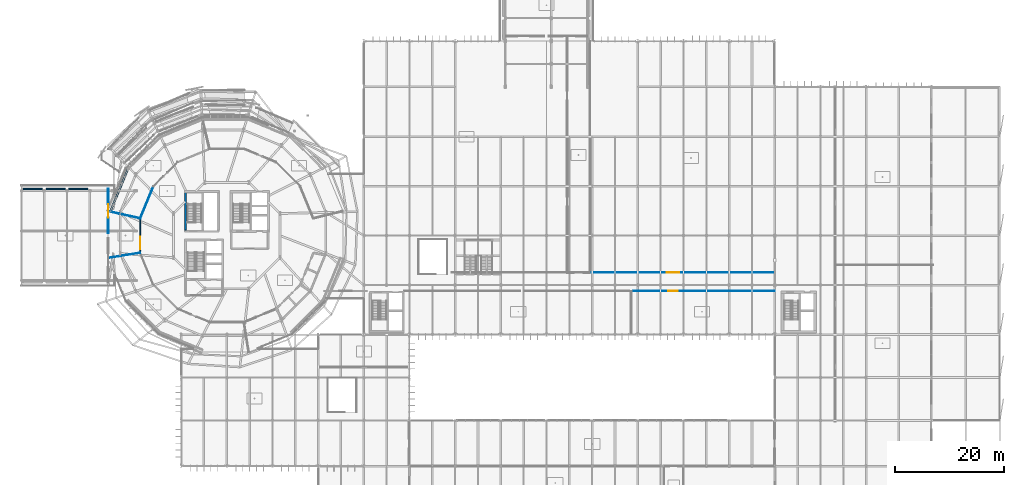
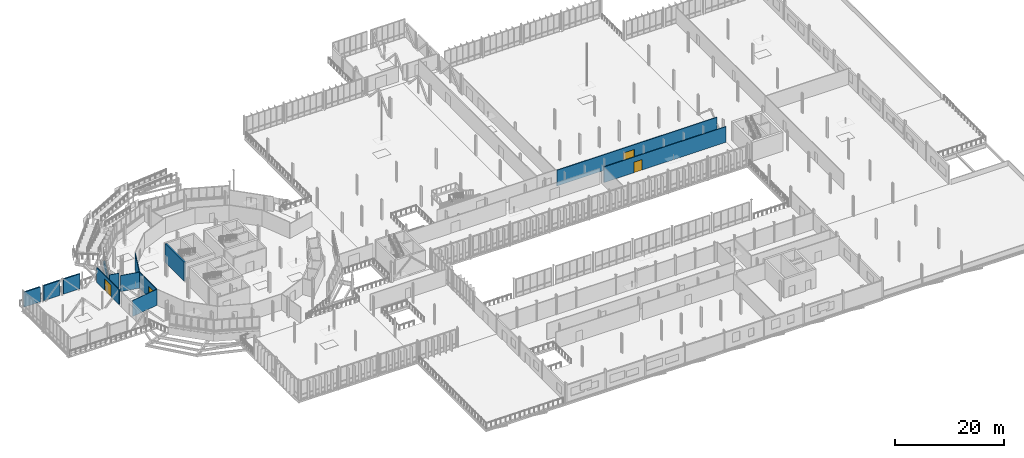
# One storey, part 104 of 139: 13 walls, 4 doors, 4 openings.
"""IFC4 building model written with IfcOpenShell, lengths in metres."""

from ifc_helpers import new_model, si_unit, derived_unit, direction, frame, frame_2d, origin, place, context, subcontext, project, spatial, rectangle, extrude, material, layer, layer_set, type_object, element, fill, save


model = new_model("IFC4")

# Units and contexts
model_context = context("Model", 3, precision=1e-05, world=origin(), true_north=direction((0.0, 1.0)))
body_context = subcontext(model_context, "Body", "Model", "MODEL_VIEW")
ifc_project = project(units=[si_unit("LENGTHUNIT", "METRE"), si_unit("AREAUNIT", "SQUARE_METRE"), si_unit("VOLUMEUNIT", "CUBIC_METRE"), si_unit("PLANEANGLEUNIT", "RADIAN"), si_unit("MASSUNIT", "GRAM", prefix="KILO"), derived_unit("THERMALTRANSMITTANCEUNIT", [(si_unit("MASSUNIT", "GRAM", prefix="KILO"), 1), (si_unit("TIMEUNIT", "SECOND"), -3), (si_unit("THERMODYNAMICTEMPERATUREUNIT", "KELVIN"), -1)])], contexts=[model_context])

# Site, building, storey
site_placement = place(None, origin())
site = spatial("IfcSite", under=ifc_project, at=site_placement, CompositionType="ELEMENT")
building_placement = place(site_placement, origin())
building = spatial("IfcBuilding", under=site, at=building_placement, Name="Makaiwela Harbour Ferry Terminal", CompositionType="ELEMENT")
storey_placement = place(building_placement, frame((0.0, 0.0, 5.10009765625)))
storey = spatial("IfcBuildingStorey", under=building, at=storey_placement, Name="L01", CompositionType="ELEMENT", Elevation=5.10009765625)

# Walls
ifc_material_1 = material(Name="Precast concrete f'c 40 MPa (6000 psi)", Category="concrete")
ifc_layer_1 = layer(ifc_material_1, 0.260009765625)
ifc_layer_set_1 = layer_set([ifc_layer_1], Name="Precast concrete f'c 40 MPa (6000 psi)")
wall_type_1 = type_object("IfcWallType", Name="ENV-WL-EXT260", PredefinedType="SOLIDWALL", material=ifc_layer_set_1)
wall_1_placement = place(storey_placement, frame((19.578857421875, 79.752685546875, 0.0), z_axis=(0.0, 0.0, 1.0), x_axis=(-0.382696215843, -0.923874237318, 0.0)))
element("IfcWall", 1, at=wall_1_placement, inside=storey, type_object=wall_type_1, Name="Drum Spandrel Backup Wall EW-L01-06", PredefinedType="SOLIDWALL", context=body_context, shape_type="SweptSolid", body=[
    extrude(rectangle(XDim=8.367919921875, YDim=0.260009765625, at=frame_2d((4.18408203125, 0.0))), origin(), (0.0, 0.0, 1.0), 1.47998046875),
])
for number, where, z_axis, x_axis, name in (
    (2, (8.760009765625, 76.169921875, 0.0), (0.0, 0.0, 1.0), (1.0, 0.0, 0.0), "Exterior Wall EW-092"),
    (3, (4.56005859375, 76.169921875, 0.0), (0.0, 0.0, 1.0), (1.0, 0.0, 0.0), "Exterior Wall EW-096"),
    (4, (0.360107421875, 76.169921875, 0.0), (0.0, 0.0, 1.0), (1.0, 0.0, 0.0), "Exterior Wall EW-100"),
):
    element("IfcWall", number, at=place(storey_placement, frame(where, z_axis=z_axis, x_axis=x_axis)), inside=storey, type_object=wall_type_1, Name=name, PredefinedType="SOLIDWALL", context=body_context, shape_type="SweptSolid", body=[
        extrude(rectangle(XDim=3.47998046875, YDim=0.260009765625, at=frame_2d((1.739990234375, 0.0))), origin(), (0.0, 0.0, 1.0), 3.364013671875),
    ])

# Wall, opening, door
ifc_material_2 = material(Name="Fire-rated gypsum board on steel studs", Category="steel")
ifc_layer_2 = layer(ifc_material_2, 0.179931640625)
ifc_layer_set_2 = layer_set([ifc_layer_2], Name="Fire-rated gypsum board on steel studs")
wall_type_2 = type_object("IfcWallType", Name="INT-WL-FIR180", PredefinedType="PARTITIONING", material=ifc_layer_set_2)
wall_2_placement = place(storey_placement, frame((16.0, 76.25, 0.0), z_axis=(0.0, 0.0, 1.0), x_axis=(0.0, -1.0, 0.0)))
wall_2 = element("IfcWall", 5, at=wall_2_placement, inside=storey, type_object=wall_type_2, Name="Interior Wall IW-0231", PredefinedType="PARTITIONING", context=body_context, shape_type="SweptSolid", body=[
    extrude(rectangle(XDim=8.199951171875, YDim=0.179931640625, at=frame_2d((4.10009765625, 0.0))), origin(), (0.0, 0.0, 1.0), 3.364013671875),
])
opening_1_placement = place(wall_2_placement, frame((2.875, 0.0, 0.0)))
opening_1 = element("IfcOpeningElement", 6, at=opening_1_placement, cuts=wall_2, Name="Opening BG-04", PredefinedType="OPENING", context=body_context, shape_type="SweptSolid", body=[
    extrude(rectangle(XDim=2.449951171875, YDim=2.550048828125, at=frame_2d((1.22509765625, 1.27490234375))), frame((0.0, 0.099853515625, 0.0), z_axis=(0.0, -1.0, 0.0), x_axis=(1.0, 0.0, 0.0)), (0.0, 0.0, 1.0), 0.199951171875),
])
ifc_material_3 = material(Name="Marine anodised aluminium 6063-T6", Category="aluminium")
door_type_1 = type_object("IfcDoorType", Name="ENV-GT-BRD04", OperationType="NOTDEFINED", PredefinedType="GATE", material=ifc_material_3)
door_1_placement = place(opening_1_placement, origin())
door_1 = element("IfcDoor", 7, at=door_1_placement, inside=storey, type_object=door_type_1, Name="Door BG-04", OperationType="DOUBLE_DOOR_SLIDING", OverallHeight=2.550048828125, OverallWidth=2.449951171875, PredefinedType="GATE", context=body_context, shape_type="SweptSolid", body=[
    extrude(rectangle(XDim=2.449951171875, YDim=2.550048828125, at=frame_2d((1.22509765625, 1.27490234375))), frame((0.0, 0.02490234375, 0.0), z_axis=(0.0, -1.0, 0.0), x_axis=(1.0, 0.0, 0.0)), (0.0, 0.0, 1.0), 0.050048828125),
])
fill(opening_1, door_1)

wall_3_placement = place(storey_placement, frame((21.8623046875, 70.770263671875, 0.0), z_axis=(0.0, 0.0, 1.0), x_axis=(0.0, -1.0, 0.0)))
wall_3 = element("IfcWall", 8, at=wall_3_placement, inside=storey, type_object=wall_type_2, Name="Interior Wall IW-0274", PredefinedType="PARTITIONING", context=body_context, shape_type="SweptSolid", body=[
    extrude(rectangle(XDim=6.340576171875, YDim=0.179931640625, at=frame_2d((3.17041015625, 0.0))), origin(), (0.0, 0.0, 1.0), 3.598876953125),
])
opening_2_placement = place(wall_3_placement, frame((3.4150390625, 0.0, 0.0)))
opening_2 = element("IfcOpeningElement", 9, at=opening_2_placement, cuts=wall_3, Name="Opening D-23", PredefinedType="OPENING", context=body_context, shape_type="SweptSolid", body=[
    extrude(rectangle(XDim=2.300048828125, YDim=2.449951171875, at=frame_2d((1.14990234375, 1.22509765625))), frame((0.0, 0.099853515625, 0.0), z_axis=(0.0, -1.0, 0.0), x_axis=(1.0, 0.0, 0.0)), (0.0, 0.0, 1.0), 0.199951171875),
])
ifc_material_4 = material(Name="Solid-core marine hardwood and painted steel frame", Category="steel")
door_type_2 = type_object("IfcDoorType", Name="INT-DR-CON230", OperationType="NOTDEFINED", PredefinedType="DOOR", material=ifc_material_4)
door_2_placement = place(opening_2_placement, frame((2.300048828125, 0.0, 0.0), z_axis=(0.0, 0.0, 1.0), x_axis=(-1.0, 0.0, 0.0)))
door_2 = element("IfcDoor", 10, at=door_2_placement, inside=storey, type_object=door_type_2, Name="Door D-23", OperationType="DOUBLE_DOOR_SINGLE_SWING", OverallHeight=2.449951171875, OverallWidth=2.300048828125, PredefinedType="DOOR", context=body_context, shape_type="SweptSolid", body=[
    extrude(rectangle(XDim=2.300048828125, YDim=2.449951171875, at=frame_2d((1.14990234375, 1.22509765625))), frame((0.0, 0.02490234375, 0.0), z_axis=(0.0, -1.0, 0.0), x_axis=(1.0, 0.0, 0.0)), (0.0, 0.0, 1.0), 0.050048828125),
])
fill(opening_2, door_2)

# Walls
ifc_material_5 = material(Name="Moisture-resistant acoustic gypsum partition", Category="gypsum")
ifc_layer_3 = layer(ifc_material_5, 0.10009765625)
ifc_layer_set_3 = layer_set([ifc_layer_3], Name="Moisture-resistant acoustic gypsum partition")
wall_type_3 = type_object("IfcWallType", Name="INT-WL-PRT100", PredefinedType="PARTITIONING", material=ifc_layer_set_3)
wall_4_placement = place(storey_placement, frame((21.8623046875, 64.4296875, 0.0), z_axis=(0.0, 0.0, 1.0), x_axis=(-0.987448017652, -0.157944333345, 0.0)))
element("IfcWall", 11, at=wall_4_placement, inside=storey, type_object=wall_type_3, Name="Interior Wall IW-0295", PredefinedType="PARTITIONING", context=body_context, shape_type="SweptSolid", body=[
    extrude(rectangle(XDim=5.77490234375, YDim=0.10009765625, at=frame_2d((2.887451171875, 0.0))), origin(), (0.0, 0.0, 1.0), 3.598876953125),
])
ifc_layer_4 = layer(ifc_material_5, 0.1201171875)
ifc_layer_set_4 = layer_set([ifc_layer_4], Name="Moisture-resistant acoustic gypsum partition")
wall_type_4 = type_object("IfcWallType", Name="INT-WL-PRT120", PredefinedType="PARTITIONING", material=ifc_layer_set_4)
wall_5_placement = place(storey_placement, frame((21.8623046875, 70.770263671875, 0.0), z_axis=(0.0, 0.0, 1.0), x_axis=(-0.976448814261, 0.215749190329, 0.0)))
element("IfcWall", 12, at=wall_5_placement, inside=storey, type_object=wall_type_4, Name="Interior Wall IW-0293", PredefinedType="PARTITIONING", context=body_context, shape_type="SweptSolid", body=[
    extrude(rectangle(XDim=3.720703125, YDim=0.1201171875, at=frame_2d((1.8603515625, 0.0))), origin(), (0.0, 0.0, 1.0), 3.598876953125),
])
wall_6_placement = place(storey_placement, frame((17.995361328125, 71.624755859375, 0.0), z_axis=(0.0, 0.0, 1.0), x_axis=(-0.976452202899, 0.215733853287, 0.0)))
element("IfcWall", 13, at=wall_6_placement, inside=storey, type_object=wall_type_4, Name="Interior Wall IW-0294", PredefinedType="PARTITIONING", context=body_context, shape_type="SweptSolid", body=[
    extrude(rectangle(XDim=1.879638671875, YDim=0.1201171875, at=frame_2d((0.93994140625, 0.0))), origin(), (0.0, 0.0, 1.0), 4.199951171875),
])
ifc_layer_5 = layer(ifc_material_5, 0.139892578125)
ifc_layer_set_5 = layer_set([ifc_layer_5], Name="Moisture-resistant acoustic gypsum partition")
wall_type_5 = type_object("IfcWallType", Name="INT-WL-PRT140", PredefinedType="PARTITIONING", material=ifc_layer_set_5)
wall_7_placement = place(storey_placement, frame((24.28857421875, 76.6279296875, 0.0), z_axis=(0.0, 0.0, 1.0), x_axis=(-0.382676004295, -0.923882609284, 0.0)))
element("IfcWall", 14, at=wall_7_placement, inside=storey, type_object=wall_type_5, Name="Interior Wall IW-0273", PredefinedType="PARTITIONING", context=body_context, shape_type="SweptSolid", body=[
    extrude(rectangle(XDim=6.34033203125, YDim=0.139892578125, at=frame_2d((3.170166015625, 0.0))), origin(), (0.0, 0.0, 1.0), 3.598876953125),
])

# Wall, opening, door
ifc_layer_6 = layer(ifc_material_5, 0.14990234375)
ifc_layer_set_6 = layer_set([ifc_layer_6], Name="Moisture-resistant acoustic gypsum partition")
wall_type_6 = type_object("IfcWallType", Name="INT-WL-PRT150", PredefinedType="PARTITIONING", material=ifc_layer_set_6)
wall_8_placement = place(storey_placement, frame((112.60009765625, 57.39990234375, 0.0), z_axis=(0.0, 0.0, 1.0), x_axis=(1.0, 0.0, 0.0)))
wall_8 = element("IfcWall", 15, at=wall_8_placement, inside=storey, type_object=wall_type_6, Name="Interior Wall IW-0501", PredefinedType="PARTITIONING", context=body_context, shape_type="SweptSolid", body=[
    extrude(rectangle(XDim=25.9599609375, YDim=0.14990234375, at=frame_2d((12.97998046875, 0.0))), origin(), (0.0, 0.0, 1.0), 3.52197265625),
])
opening_3_placement = place(wall_8_placement, frame((6.393798828125, 0.0, 0.0)))
opening_3 = element("IfcOpeningElement", 16, at=opening_3_placement, cuts=wall_8, Name="Opening D-18", PredefinedType="OPENING", context=body_context, shape_type="SweptSolid", body=[
    extrude(rectangle(XDim=1.75, YDim=2.35009765625, at=frame_2d((0.875, 1.175048828125))), frame((0.0, 0.0849609375, 0.0), z_axis=(0.0, -1.0, 0.0), x_axis=(1.0, 0.0, 0.0)), (0.0, 0.0, 1.0), 0.169921875),
])
door_type_3 = type_object("IfcDoorType", Name="INT-DR-DIN175", OperationType="NOTDEFINED", PredefinedType="DOOR", material=ifc_material_4)
door_3_placement = place(opening_3_placement, origin())
door_3 = element("IfcDoor", 17, at=door_3_placement, inside=storey, type_object=door_type_3, Name="Door D-18", OperationType="DOUBLE_DOOR_SINGLE_SWING", OverallHeight=2.35009765625, OverallWidth=1.75, PredefinedType="DOOR", context=body_context, shape_type="SweptSolid", body=[
    extrude(rectangle(XDim=1.75, YDim=2.35009765625, at=frame_2d((0.875, 1.175048828125))), frame((0.0, 0.02490234375, 0.0), z_axis=(0.0, -1.0, 0.0), x_axis=(1.0, 0.0, 0.0)), (0.0, 0.0, 1.0), 0.050048828125),
])
fill(opening_3, door_3)

wall_9_placement = place(storey_placement, frame((104.60009765625, 60.800048828125, 0.0), z_axis=(0.0, 0.0, 1.0), x_axis=(1.0, 0.0, 0.0)))
wall_9 = element("IfcWall", 18, at=wall_9_placement, inside=storey, type_object=wall_type_6, Name="Interior Wall IW-0503", PredefinedType="PARTITIONING", context=body_context, shape_type="SweptSolid", body=[
    extrude(rectangle(XDim=33.9599609375, YDim=0.14990234375, at=frame_2d((16.97998046875, 0.0))), origin(), (0.0, 0.0, 1.0), 3.52197265625),
])
opening_4_placement = place(wall_9_placement, frame((14.132080078125, 0.0, 0.0)))
opening_4 = element("IfcOpeningElement", 19, at=opening_4_placement, cuts=wall_9, Name="Opening D-23", PredefinedType="OPENING", context=body_context, shape_type="SweptSolid", body=[
    extrude(rectangle(XDim=2.300048828125, YDim=2.449951171875, at=frame_2d((1.14990234375, 1.22509765625))), frame((0.0, 0.0849609375, 0.0), z_axis=(0.0, -1.0, 0.0), x_axis=(1.0, 0.0, 0.0)), (0.0, 0.0, 1.0), 0.169921875),
])
door_4_placement = place(opening_4_placement, frame((2.300048828125, 0.0, 0.0), z_axis=(0.0, 0.0, 1.0), x_axis=(-1.0, 0.0, 0.0)))
door_4 = element("IfcDoor", 20, at=door_4_placement, inside=storey, type_object=door_type_2, Name="Door D-23", OperationType="DOUBLE_DOOR_SINGLE_SWING", OverallHeight=2.449951171875, OverallWidth=2.300048828125, PredefinedType="DOOR", context=body_context, shape_type="SweptSolid", body=[
    extrude(rectangle(XDim=2.300048828125, YDim=2.449951171875, at=frame_2d((1.14990234375, 1.22509765625))), frame((0.0, 0.02490234375, 0.0), z_axis=(0.0, -1.0, 0.0), x_axis=(1.0, 0.0, 0.0)), (0.0, 0.0, 1.0), 0.050048828125),
])
fill(opening_4, door_4)

# Wall
ifc_material_6 = material(Name="Concrete f'c 45 MPa (6500 psi)", Category="concrete")
ifc_layer_7 = layer(ifc_material_6, 0.360107421875)
ifc_layer_set_7 = layer_set([ifc_layer_7], Name="Concrete f'c 45 MPa (6500 psi)")
wall_type_7 = type_object("IfcWallType", Name="INT-WL-SHR360", PredefinedType="SHEAR", material=ifc_layer_set_7)
wall_10_placement = place(storey_placement, frame((30.199951171875, 68.590087890625, 0.0), z_axis=(0.0, 0.0, 1.0), x_axis=(0.0, 1.0, 0.0)))
element("IfcWall", 21, at=wall_10_placement, inside=storey, type_object=wall_type_7, Name="Interior Wall IW-0139", PredefinedType="SHEAR", context=body_context, shape_type="SweptSolid", body=[
    extrude(rectangle(XDim=6.919921875, YDim=0.360107421875, at=frame_2d((3.4599609375, 0.0))), origin(), (0.0, 0.0, 1.0), 4.219970703125),
])

save(model, "model.ifc")
